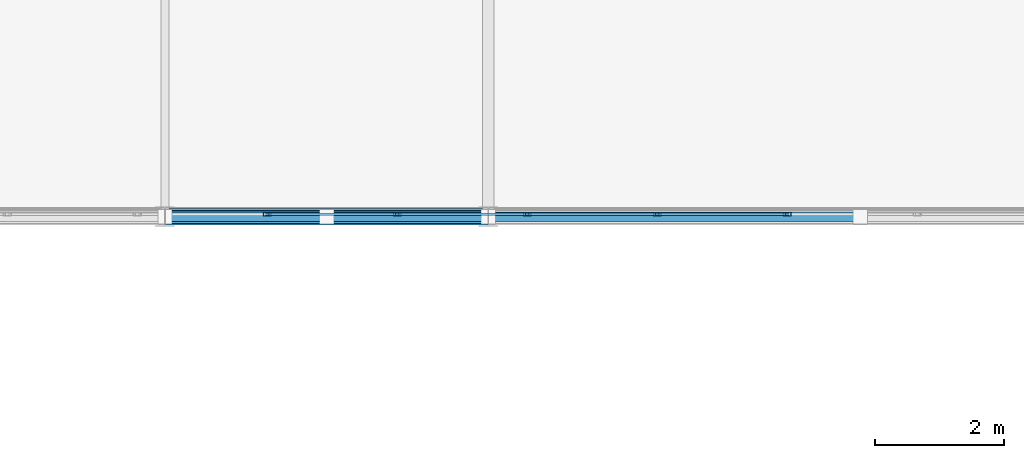
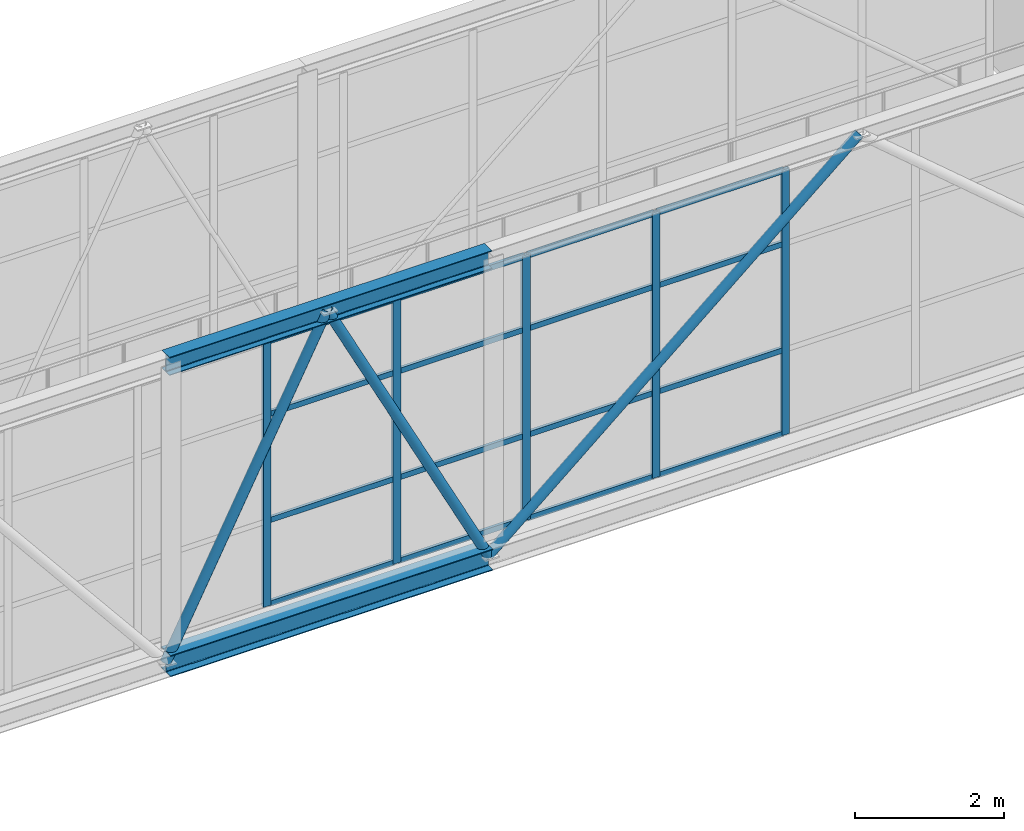
# One storey, part 97 of 248: 26 members, 1 element without a shape of its own.
"""IFC4 building model written with IfcOpenShell, lengths in metres."""

from ifc_helpers import new_model, si_unit, direction, frame, origin, origin_2d, place, context, subcontext, project, spatial, hollow_rectangle, hollow_circle, i_section, extrude, material, layer, layer_set, material_profile, profile_set, type_object, element, aggregate, save


model = new_model("IFC4")

# Units and contexts
model_context = context("Model", 3, precision=1e-05, world=origin(), true_north=direction((0.0, 1.0)))
body_context = subcontext(model_context, "Body", "Model", "MODEL_VIEW")
ifc_project = project(units=[si_unit("LENGTHUNIT", "METRE"), si_unit("AREAUNIT", "SQUARE_METRE"), si_unit("VOLUMEUNIT", "CUBIC_METRE"), si_unit("PLANEANGLEUNIT", "RADIAN"), si_unit("MASSUNIT", "GRAM", prefix="KILO")], contexts=[model_context])

# Site, building, storey
site_placement = place(None, origin())
site = spatial("IfcSite", under=ifc_project, at=site_placement, CompositionType="ELEMENT")
building_placement = place(site_placement, origin())
building = spatial("IfcBuilding", under=site, at=building_placement, Name="Canggui Botanical Conservatory", CompositionType="ELEMENT")
storey_placement = place(building_placement, frame((0.0, 0.0, 5.39990234375)))
storey = spatial("IfcBuildingStorey", under=building, at=storey_placement, Name="L02", CompositionType="ELEMENT", Elevation=5.39990234375)

# Curtain wall, members
ifc_material_1 = material(Name="Thermally Broken Aluminium", Category="aluminium")
ifc_layer = layer(ifc_material_1, 0.1201171875, Name="Thermally Broken Aluminium", Category="aluminium")
ifc_layer_set = layer_set([ifc_layer], Name="Thermally Broken Aluminium")
curtain_wall_type = type_object("IfcCurtainWallType", Name="CW-STICK-B", PredefinedType="USERDEFINED", material=ifc_layer_set)
curtain_wall_placement = place(storey_placement, origin())
curtain_wall = element("IfcCurtainWall", 1, at=curtain_wall_placement, inside=storey, type_object=curtain_wall_type, Name="Facade Curtain Wall CW-SB-01-1", ObjectType="STICK GLAZED WALL", PredefinedType="USERDEFINED")
ifc_material_profile_1 = material_profile(ifc_material_1, hollow_rectangle(XDim=0.054931640625, YDim=0.1201171875, WallThickness=0.0029296875, at=origin_2d()), Name="CWM 55x120x3")
ifc_profile_set_1 = profile_set([ifc_material_profile_1], Name="Thermally Broken Aluminium")
member_type_1 = type_object("IfcMemberType", Name="CWM-05", PredefinedType="MULLION", material=ifc_profile_set_1)
member_1_placement = place(storey_placement, frame((115.082275390625, 26.0400390625, 0.0), z_axis=(0.0, 0.0, 1.0), x_axis=(0.0, 1.0, 0.0)))
member_1 = element("IfcMember", 2, at=member_1_placement, type_object=member_type_1, Name="CW-05 mullion 25", PredefinedType="MULLION", context=body_context, shape_type="SweptSolid", body=[
    extrude(hollow_rectangle(XDim=0.054931640625, YDim=0.1201171875, WallThickness=0.0029296875, at=origin_2d()), origin(), (0.0, 0.0, 1.0), 4.35009765625),
])
member_2_placement = place(storey_placement, frame((117.092041015625, 26.0400390625, 0.0), z_axis=(0.0, 0.0, 1.0), x_axis=(0.0, 1.0, 0.0)))
member_2 = element("IfcMember", 3, at=member_2_placement, type_object=member_type_1, Name="CW-05 mullion 26", PredefinedType="MULLION", context=body_context, shape_type="SweptSolid", body=[
    extrude(hollow_rectangle(XDim=0.054931640625, YDim=0.1201171875, WallThickness=0.0029296875, at=origin_2d()), origin(), (0.0, 0.0, 1.0), 4.35009765625),
])
member_3_placement = place(storey_placement, frame((119.1015625, 26.0400390625, 0.0), z_axis=(0.0, 0.0, 1.0), x_axis=(0.0, 1.0, 0.0)))
member_3 = element("IfcMember", 4, at=member_3_placement, type_object=member_type_1, Name="CW-05 mullion 27", PredefinedType="MULLION", context=body_context, shape_type="SweptSolid", body=[
    extrude(hollow_rectangle(XDim=0.054931640625, YDim=0.1201171875, WallThickness=0.0029296875, at=origin_2d()), origin(), (0.0, 0.0, 1.0), 4.35009765625),
])
member_4_placement = place(storey_placement, frame((121.111328125, 26.0400390625, 0.0), z_axis=(0.0, 0.0, 1.0), x_axis=(0.0, 1.0, 0.0)))
member_4 = element("IfcMember", 5, at=member_4_placement, type_object=member_type_1, Name="CW-05 mullion 28", PredefinedType="MULLION", context=body_context, shape_type="SweptSolid", body=[
    extrude(hollow_rectangle(XDim=0.054931640625, YDim=0.1201171875, WallThickness=0.0029296875, at=origin_2d()), origin(), (0.0, 0.0, 1.0), 4.35009765625),
])
member_5_placement = place(storey_placement, frame((123.120849609375, 26.0400390625, 0.0), z_axis=(0.0, 0.0, 1.0), x_axis=(0.0, 1.0, 0.0)))
member_5 = element("IfcMember", 6, at=member_5_placement, type_object=member_type_1, Name="CW-05 mullion 29", PredefinedType="MULLION", context=body_context, shape_type="SweptSolid", body=[
    extrude(hollow_rectangle(XDim=0.054931640625, YDim=0.1201171875, WallThickness=0.0029296875, at=origin_2d()), origin(), (0.0, 0.0, 1.0), 4.35009765625),
])
ifc_material_profile_2 = material_profile(ifc_material_1, hollow_rectangle(XDim=0.044921875, YDim=0.090087890625, WallThickness=0.0029296875, at=origin_2d()), Name="CWT 45x90x3")
ifc_profile_set_2 = profile_set([ifc_material_profile_2], Name="Thermally Broken Aluminium")
member_type_2 = type_object("IfcMemberType", Name="CWT-05", PredefinedType="USERDEFINED", material=ifc_profile_set_2)
member_6_placement = place(storey_placement, frame((115.10986328125, 26.0400390625, 0.022705078125), z_axis=(1.0, 0.0, 0.0), x_axis=(0.0, 1.0, 0.0)))
member_6 = element("IfcMember", 7, at=member_6_placement, type_object=member_type_2, Name="CW-05 transom 25.1", ObjectType="TRANSOM", PredefinedType="USERDEFINED", context=body_context, shape_type="SweptSolid", body=[
    extrude(hollow_rectangle(XDim=0.044921875, YDim=0.090087890625, WallThickness=0.0029296875, at=origin_2d()), origin(), (0.0, 0.0, 1.0), 1.95458984375),
])
member_7_placement = place(storey_placement, frame((115.10986328125, 26.0400390625, 1.39208984375), z_axis=(1.0, 0.0, 0.0), x_axis=(0.0, 1.0, 0.0)))
member_7 = element("IfcMember", 8, at=member_7_placement, type_object=member_type_2, Name="CW-05 transom 25.2", ObjectType="TRANSOM", PredefinedType="USERDEFINED", context=body_context, shape_type="SweptSolid", body=[
    extrude(hollow_rectangle(XDim=0.044921875, YDim=0.090087890625, WallThickness=0.0029296875, at=origin_2d()), origin(), (0.0, 0.0, 1.0), 1.95458984375),
])
member_8_placement = place(storey_placement, frame((115.10986328125, 26.0400390625, 3.132080078125), z_axis=(1.0, 0.0, 0.0), x_axis=(0.0, 1.0, 0.0)))
member_8 = element("IfcMember", 9, at=member_8_placement, type_object=member_type_2, Name="CW-05 transom 25.3", ObjectType="TRANSOM", PredefinedType="USERDEFINED", context=body_context, shape_type="SweptSolid", body=[
    extrude(hollow_rectangle(XDim=0.044921875, YDim=0.090087890625, WallThickness=0.0029296875, at=origin_2d()), origin(), (0.0, 0.0, 1.0), 1.95458984375),
])
member_9_placement = place(storey_placement, frame((115.10986328125, 26.0400390625, 4.32763671875), z_axis=(1.0, 0.0, 0.0), x_axis=(0.0, 1.0, 0.0)))
member_9 = element("IfcMember", 10, at=member_9_placement, type_object=member_type_2, Name="CW-05 transom 25.4", ObjectType="TRANSOM", PredefinedType="USERDEFINED", context=body_context, shape_type="SweptSolid", body=[
    extrude(hollow_rectangle(XDim=0.044921875, YDim=0.090087890625, WallThickness=0.0029296875, at=origin_2d()), origin(), (0.0, 0.0, 1.0), 1.95458984375),
])
member_10_placement = place(storey_placement, frame((117.119384765625, 26.0400390625, 0.022705078125), z_axis=(1.0, 0.0, 0.0), x_axis=(0.0, 1.0, 0.0)))
member_10 = element("IfcMember", 11, at=member_10_placement, type_object=member_type_2, Name="CW-05 transom 26.1", ObjectType="TRANSOM", PredefinedType="USERDEFINED", context=body_context, shape_type="SweptSolid", body=[
    extrude(hollow_rectangle(XDim=0.044921875, YDim=0.090087890625, WallThickness=0.0029296875, at=origin_2d()), origin(), (0.0, 0.0, 1.0), 1.954833984375),
])
member_11_placement = place(storey_placement, frame((117.119384765625, 26.0400390625, 1.39208984375), z_axis=(1.0, 0.0, 0.0), x_axis=(0.0, 1.0, 0.0)))
member_11 = element("IfcMember", 12, at=member_11_placement, type_object=member_type_2, Name="CW-05 transom 26.2", ObjectType="TRANSOM", PredefinedType="USERDEFINED", context=body_context, shape_type="SweptSolid", body=[
    extrude(hollow_rectangle(XDim=0.044921875, YDim=0.090087890625, WallThickness=0.0029296875, at=origin_2d()), origin(), (0.0, 0.0, 1.0), 1.954833984375),
])
member_12_placement = place(storey_placement, frame((117.119384765625, 26.0400390625, 3.132080078125), z_axis=(1.0, 0.0, 0.0), x_axis=(0.0, 1.0, 0.0)))
member_12 = element("IfcMember", 13, at=member_12_placement, type_object=member_type_2, Name="CW-05 transom 26.3", ObjectType="TRANSOM", PredefinedType="USERDEFINED", context=body_context, shape_type="SweptSolid", body=[
    extrude(hollow_rectangle(XDim=0.044921875, YDim=0.090087890625, WallThickness=0.0029296875, at=origin_2d()), origin(), (0.0, 0.0, 1.0), 1.954833984375),
])
member_13_placement = place(storey_placement, frame((117.119384765625, 26.0400390625, 4.32763671875), z_axis=(1.0, 0.0, 0.0), x_axis=(0.0, 1.0, 0.0)))
member_13 = element("IfcMember", 14, at=member_13_placement, type_object=member_type_2, Name="CW-05 transom 26.4", ObjectType="TRANSOM", PredefinedType="USERDEFINED", context=body_context, shape_type="SweptSolid", body=[
    extrude(hollow_rectangle(XDim=0.044921875, YDim=0.090087890625, WallThickness=0.0029296875, at=origin_2d()), origin(), (0.0, 0.0, 1.0), 1.954833984375),
])
member_14_placement = place(storey_placement, frame((119.129150390625, 26.0400390625, 0.022705078125), z_axis=(1.0, 0.0, 0.0), x_axis=(0.0, 1.0, 0.0)))
member_14 = element("IfcMember", 15, at=member_14_placement, type_object=member_type_2, Name="CW-05 transom 27.1", ObjectType="TRANSOM", PredefinedType="USERDEFINED", context=body_context, shape_type="SweptSolid", body=[
    extrude(hollow_rectangle(XDim=0.044921875, YDim=0.090087890625, WallThickness=0.0029296875, at=origin_2d()), origin(), (0.0, 0.0, 1.0), 1.95458984375),
])
member_15_placement = place(storey_placement, frame((119.129150390625, 26.0400390625, 1.39208984375), z_axis=(1.0, 0.0, 0.0), x_axis=(0.0, 1.0, 0.0)))
member_15 = element("IfcMember", 16, at=member_15_placement, type_object=member_type_2, Name="CW-05 transom 27.2", ObjectType="TRANSOM", PredefinedType="USERDEFINED", context=body_context, shape_type="SweptSolid", body=[
    extrude(hollow_rectangle(XDim=0.044921875, YDim=0.090087890625, WallThickness=0.0029296875, at=origin_2d()), origin(), (0.0, 0.0, 1.0), 1.95458984375),
])
member_16_placement = place(storey_placement, frame((119.129150390625, 26.0400390625, 3.132080078125), z_axis=(1.0, 0.0, 0.0), x_axis=(0.0, 1.0, 0.0)))
member_16 = element("IfcMember", 17, at=member_16_placement, type_object=member_type_2, Name="CW-05 transom 27.3", ObjectType="TRANSOM", PredefinedType="USERDEFINED", context=body_context, shape_type="SweptSolid", body=[
    extrude(hollow_rectangle(XDim=0.044921875, YDim=0.090087890625, WallThickness=0.0029296875, at=origin_2d()), origin(), (0.0, 0.0, 1.0), 1.95458984375),
])
member_17_placement = place(storey_placement, frame((119.129150390625, 26.0400390625, 4.32763671875), z_axis=(1.0, 0.0, 0.0), x_axis=(0.0, 1.0, 0.0)))
member_17 = element("IfcMember", 18, at=member_17_placement, type_object=member_type_2, Name="CW-05 transom 27.4", ObjectType="TRANSOM", PredefinedType="USERDEFINED", context=body_context, shape_type="SweptSolid", body=[
    extrude(hollow_rectangle(XDim=0.044921875, YDim=0.090087890625, WallThickness=0.0029296875, at=origin_2d()), origin(), (0.0, 0.0, 1.0), 1.95458984375),
])
member_18_placement = place(storey_placement, frame((121.138671875, 26.0400390625, 0.022705078125), z_axis=(1.0, 0.0, 0.0), x_axis=(0.0, 1.0, 0.0)))
member_18 = element("IfcMember", 19, at=member_18_placement, type_object=member_type_2, Name="CW-05 transom 28.1", ObjectType="TRANSOM", PredefinedType="USERDEFINED", context=body_context, shape_type="SweptSolid", body=[
    extrude(hollow_rectangle(XDim=0.044921875, YDim=0.090087890625, WallThickness=0.0029296875, at=origin_2d()), origin(), (0.0, 0.0, 1.0), 1.954833984375),
])
member_19_placement = place(storey_placement, frame((121.138671875, 26.0400390625, 1.39208984375), z_axis=(1.0, 0.0, 0.0), x_axis=(0.0, 1.0, 0.0)))
member_19 = element("IfcMember", 20, at=member_19_placement, type_object=member_type_2, Name="CW-05 transom 28.2", ObjectType="TRANSOM", PredefinedType="USERDEFINED", context=body_context, shape_type="SweptSolid", body=[
    extrude(hollow_rectangle(XDim=0.044921875, YDim=0.090087890625, WallThickness=0.0029296875, at=origin_2d()), origin(), (0.0, 0.0, 1.0), 1.954833984375),
])
member_20_placement = place(storey_placement, frame((121.138671875, 26.0400390625, 3.132080078125), z_axis=(1.0, 0.0, 0.0), x_axis=(0.0, 1.0, 0.0)))
member_20 = element("IfcMember", 21, at=member_20_placement, type_object=member_type_2, Name="CW-05 transom 28.3", ObjectType="TRANSOM", PredefinedType="USERDEFINED", context=body_context, shape_type="SweptSolid", body=[
    extrude(hollow_rectangle(XDim=0.044921875, YDim=0.090087890625, WallThickness=0.0029296875, at=origin_2d()), origin(), (0.0, 0.0, 1.0), 1.954833984375),
])
member_21_placement = place(storey_placement, frame((121.138671875, 26.0400390625, 4.32763671875), z_axis=(1.0, 0.0, 0.0), x_axis=(0.0, 1.0, 0.0)))
member_21 = element("IfcMember", 22, at=member_21_placement, type_object=member_type_2, Name="CW-05 transom 28.4", ObjectType="TRANSOM", PredefinedType="USERDEFINED", context=body_context, shape_type="SweptSolid", body=[
    extrude(hollow_rectangle(XDim=0.044921875, YDim=0.090087890625, WallThickness=0.0029296875, at=origin_2d()), origin(), (0.0, 0.0, 1.0), 1.954833984375),
])
aggregate(curtain_wall, [member_1, member_2, member_3, member_4, member_5, member_6, member_7, member_8, member_9, member_10, member_11, member_12, member_13, member_14, member_15, member_16, member_17, member_18, member_19, member_20, member_21])

# Members
ifc_material_2 = material(Name="Steel Q355C", Category="steel")
ifc_material_profile_3 = material_profile(ifc_material_2, hollow_circle(Radius=0.075927734375, WallThickness=0.006103515625, at=origin_2d()), Name="CHS 152x6")
ifc_profile_set_3 = profile_set([ifc_material_profile_3], Name="Steel Q355C")
member_type_3 = type_object("IfcMemberType", Name="MEM-GSD04", PredefinedType="RAFTER", material=ifc_profile_set_3)
for number, where, z_axis, x_axis, name in (
    (23, (113.5, 26.0, -0.349853515625), (0.45447752854, 0.0, 0.89075820291), (0.0, 1.0, 0.0), "SB-01 Truss Web Rafter 1.7A"),
    (24, (116.0, 26.0, 4.550048828125), (0.45447752854, 0.0, -0.89075820291), (0.0, 1.0, 0.0), "SB-01 Truss Web Rafter 1.7B"),
):
    element("IfcMember", number, at=place(storey_placement, frame(where, z_axis=z_axis, x_axis=x_axis)), inside=storey, type_object=member_type_3, Name=name, PredefinedType="RAFTER", context=body_context, shape_type="SweptSolid", body=[
        extrude(hollow_circle(Radius=0.075927734375, WallThickness=0.006103515625, at=origin_2d()), origin(), (0.0, 0.0, 1.0), 5.500732421875),
    ])
member_22_placement = place(storey_placement, frame((118.5, 26.0, -0.349853515625), z_axis=(0.761128593641, 0.0, 0.648601005196), x_axis=(0.0, 1.0, 0.0)))
element("IfcMember", 25, at=member_22_placement, inside=storey, type_object=member_type_3, Name="SB-01 Truss Web Rafter 1.8A", PredefinedType="RAFTER", context=body_context, shape_type="SweptSolid", body=[
    extrude(hollow_circle(Radius=0.075927734375, WallThickness=0.006103515625, at=origin_2d()), origin(), (0.0, 0.0, 1.0), 7.5546875),
])
ifc_material_3 = material(Name="Steel Q355B", Category="steel")
ifc_material_profile_4 = material_profile(ifc_material_3, i_section(OverallWidth=0.25, OverallDepth=0.35009765625, WebThickness=0.009033203125, FlangeThickness=0.013916015625, FilletRadius=0.02001953125, at=origin_2d()), Name="HM 350x250x9x14")
ifc_profile_set_4 = profile_set([ifc_material_profile_4], Name="Steel Q355B")
member_type_4 = type_object("IfcMemberType", Name="MEM-TC03", PredefinedType="CHORD", material=ifc_profile_set_4)
member_23_placement = place(storey_placement, frame((113.5, 26.0, -0.349853515625), z_axis=(1.0, 0.0, 0.0), x_axis=(0.0, 1.0, 0.0)))
element("IfcMember", 26, at=member_23_placement, inside=storey, type_object=member_type_4, Name="SB-01 Deck Truss Bottom Chord 1.7", PredefinedType="CHORD", context=body_context, shape_type="SweptSolid", body=[
    extrude(i_section(OverallWidth=0.25, OverallDepth=0.35009765625, WebThickness=0.009033203125, FlangeThickness=0.013916015625, FilletRadius=0.02001953125, at=origin_2d()), origin(), (0.0, 0.0, 1.0), 5.0),
])
ifc_material_profile_5 = material_profile(ifc_material_3, i_section(OverallWidth=0.199951171875, OverallDepth=0.300048828125, WebThickness=0.008056640625, FlangeThickness=0.011962890625, FilletRadius=0.01806640625, at=origin_2d()), Name="HM 300x200x8x12")
ifc_profile_set_5 = profile_set([ifc_material_profile_5], Name="Steel Q355B")
member_type_5 = type_object("IfcMemberType", Name="MEM-TC04", PredefinedType="CHORD", material=ifc_profile_set_5)
member_24_placement = place(storey_placement, frame((113.5, 26.0, 4.550048828125), z_axis=(1.0, 0.0, 0.0), x_axis=(0.0, 1.0, 0.0)))
element("IfcMember", 27, at=member_24_placement, inside=storey, type_object=member_type_5, Name="SB-01 Roof Truss Top Chord 1.7", PredefinedType="CHORD", context=body_context, shape_type="SweptSolid", body=[
    extrude(i_section(OverallWidth=0.199951171875, OverallDepth=0.300048828125, WebThickness=0.008056640625, FlangeThickness=0.011962890625, FilletRadius=0.01806640625, at=origin_2d()), origin(), (0.0, 0.0, 1.0), 5.0),
])

save(model, "model.ifc")
